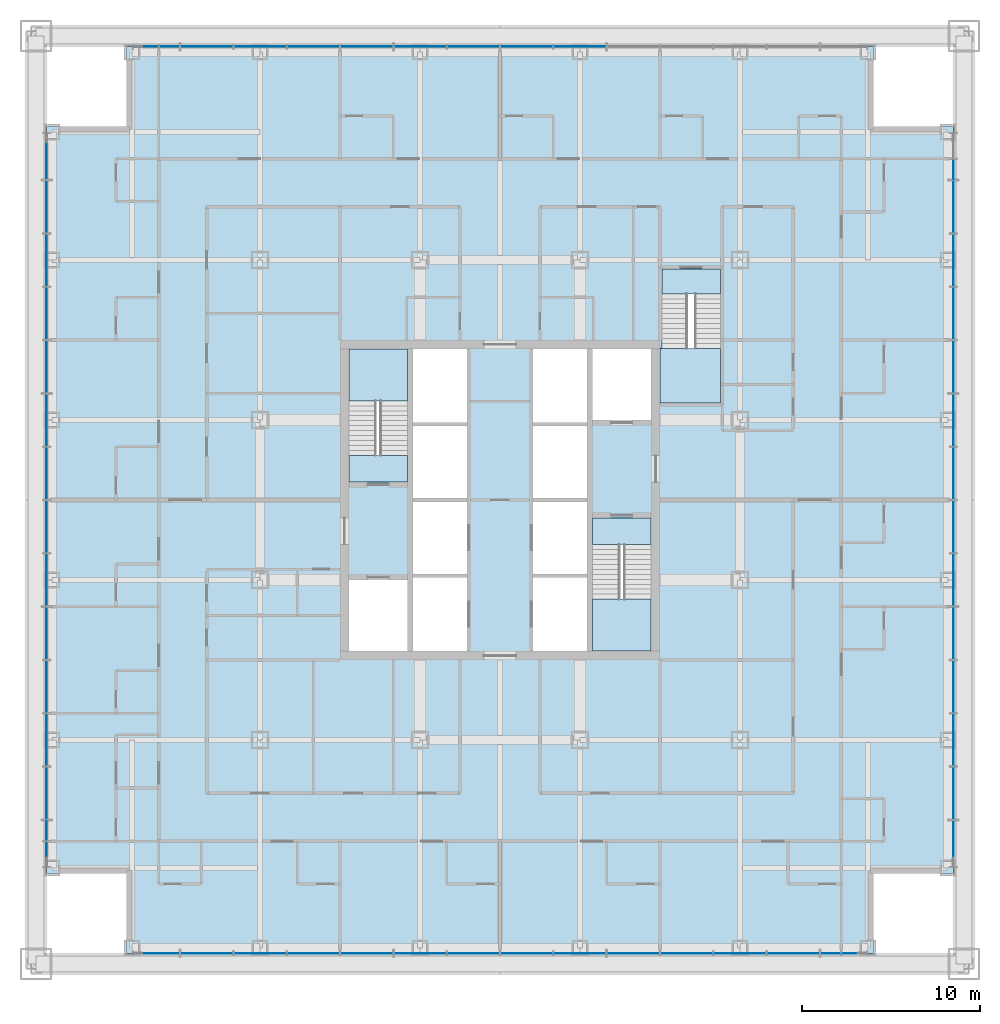
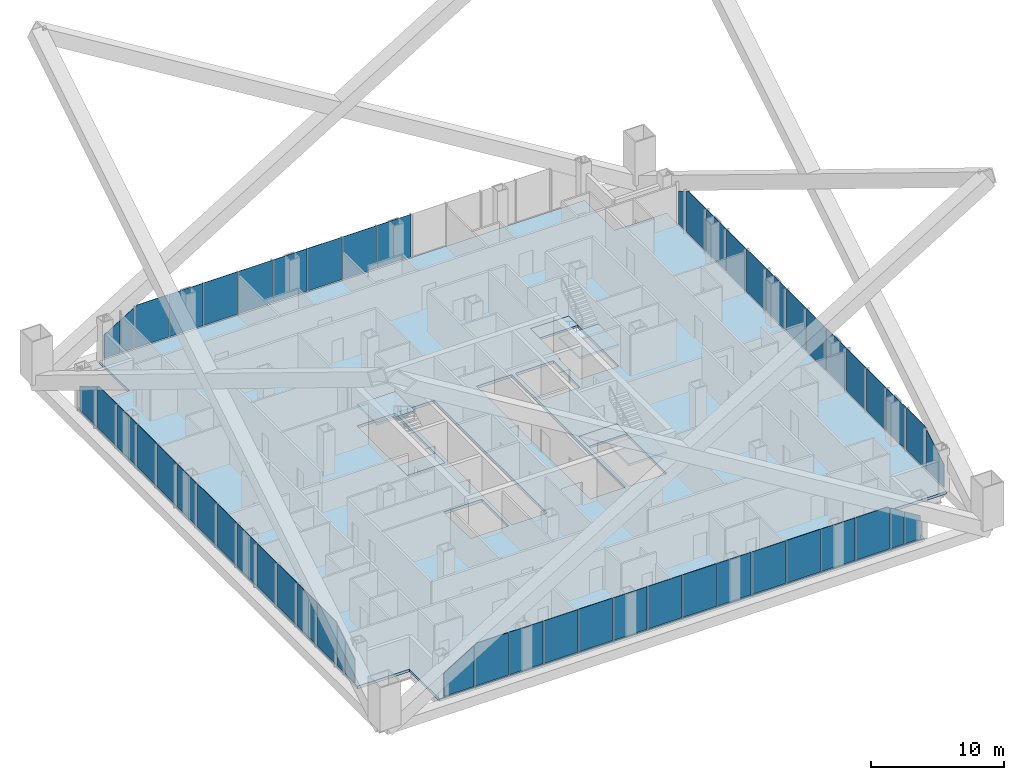
# One storey, part 11 of 21: 54 plates, 7 slabs, 7 elements without a shape of their own.
"""IFC4 building model written with IfcOpenShell, lengths in metres."""

from ifc_helpers import new_model, si_unit, direction, frame, origin, origin_2d, place, context, subcontext, project, spatial, polyline, rectangle, outline, extrude, material, layer, layer_set, type_object, element, aggregate, save


model = new_model("IFC4")

# Units and contexts
model_context = context("Model", 3, precision=1e-05, world=origin(), true_north=direction((0.0, 1.0)))
body_context = subcontext(model_context, "Body", "Model", "MODEL_VIEW")
ifc_project = project(units=[si_unit("LENGTHUNIT", "METRE"), si_unit("AREAUNIT", "SQUARE_METRE"), si_unit("VOLUMEUNIT", "CUBIC_METRE"), si_unit("PLANEANGLEUNIT", "RADIAN"), si_unit("MASSUNIT", "GRAM", prefix="KILO")], contexts=[model_context])

# Site, building, storey
site_placement = place(None, origin())
site = spatial("IfcSite", under=ifc_project, at=site_placement, CompositionType="ELEMENT")
building_placement = place(site_placement, origin())
building = spatial("IfcBuilding", under=site, at=building_placement, Name="Malebo Sky Hospital", CompositionType="ELEMENT")
storey_placement = place(building_placement, frame((0.0, 0.0, 63.0)))
storey = spatial("IfcBuildingStorey", under=building, at=storey_placement, Name="L14", CompositionType="ELEMENT", Elevation=63.0)

# Slab
ifc_material_1 = material(Name="Concrete C40/50", Category="concrete")
ifc_layer_1 = layer(ifc_material_1, 0.25)
ifc_layer_set_1 = layer_set([ifc_layer_1], Name="COMPOSITE FLOOR SLAB 250")
slab_type_1 = type_object("IfcSlabType", Name="COMPOSITE FLOOR SLAB 250", PredefinedType="FLOOR", material=ifc_layer_set_1)
slab_1_placement = place(storey_placement, frame((0.0, 0.0, -0.25)))
element("IfcSlab", 1, at=slab_1_placement, inside=storey, type_object=slab_type_1, Name="Floor slab L14", PredefinedType="FLOOR", context=body_context, shape_type="SweptSolid", body=[
    extrude(outline(polyline([(39.0, 87.5), (39.0, 83.0), (34.5, 83.0), (34.5, 41.0), (39.0, 41.0), (39.0, 36.5), (81.0, 36.5), (81.0, 41.0), (85.5, 41.0), (85.5, 83.0), (81.0, 83.0), (81.0, 87.5), (39.0, 87.5)]), holes=[polyline([(55.10009765625, 70.5), (58.14990234375, 70.5), (58.14990234375, 53.5), (55.10009765625, 53.5), (55.10009765625, 70.5)]), polyline([(64.89990234375, 70.5), (64.89990234375, 53.5), (61.85009765625, 53.5), (61.85009765625, 70.5), (64.89990234375, 70.5)]), polyline([(54.800048828125, 63.0), (51.5, 63.0), (51.5, 70.5), (54.800048828125, 70.5), (54.800048828125, 63.0)]), polyline([(51.5, 53.5), (51.5, 57.5), (54.800048828125, 57.5), (54.800048828125, 53.5), (51.5, 53.5)]), polyline([(65.199951171875, 61.0), (68.5, 61.0), (68.5, 53.5), (65.199951171875, 53.5), (65.199951171875, 61.0)]), polyline([(68.5, 70.5), (68.5, 66.5), (65.199951171875, 66.5), (65.199951171875, 70.5), (68.5, 70.5)]), polyline([(69.0, 67.449951171875), (69.0, 70.52001953125), (69.10009765625, 70.52001953125), (69.10009765625, 75.0), (72.39990234375, 75.0), (72.39990234375, 67.449951171875), (69.10009765625, 67.449951171875), (69.0, 67.449951171875)])]), origin(), (0.0, 0.0, 1.0), 0.25),
])

# Stair, slabs
stair_type_1 = type_object("IfcStairType", Name="HALF-TURN STAIR 1500 R167", PredefinedType="HALF_TURN_STAIR", material=ifc_material_1)
stair_1_placement = place(storey_placement, origin())
stair_1 = element("IfcStair", 2, at=stair_1_placement, inside=storey, type_object=stair_type_1, Name="Stair S1 L14 type ST1", PredefinedType="HALF_TURN_STAIR")
ifc_layer_2 = layer(ifc_material_1, 0.199951171875)
ifc_layer_set_2 = layer_set([ifc_layer_2], Name="STAIR LANDING 200")
slab_type_2 = type_object("IfcSlabType", Name="STAIR LANDING 200", PredefinedType="LANDING", material=ifc_layer_set_2)
slab_2_placement = place(storey_placement, frame((0.0, 0.0, -0.199951171875)))
slab_2 = element("IfcSlab", 3, at=slab_2_placement, type_object=slab_type_2, Name="S1 landing 1", PredefinedType="LANDING", context=body_context, shape_type="SweptSolid", body=[
    extrude(outline(polyline([(51.5, 63.0), (54.800048828125, 63.0), (54.800048828125, 64.5), (51.5, 64.5), (51.5, 63.0)])), origin(), (0.0, 0.0, 1.0), 0.199951171875),
])
slab_3_placement = place(storey_placement, frame((0.0, 0.0, 1.800048828125)))
slab_3 = element("IfcSlab", 4, at=slab_3_placement, type_object=slab_type_2, Name="S1 landing 2", PredefinedType="LANDING", context=body_context, shape_type="SweptSolid", body=[
    extrude(outline(polyline([(51.5, 67.580078125), (54.800048828125, 67.580078125), (54.800048828125, 70.5), (51.5, 70.5), (51.5, 67.580078125)])), origin(), (0.0, 0.0, 1.0), 0.199951171875),
])
aggregate(stair_1, [slab_2, slab_3])

stair_2_placement = place(storey_placement, origin())
stair_2 = element("IfcStair", 5, at=stair_2_placement, inside=storey, type_object=stair_type_1, Name="Stair S2 L14 type ST1", PredefinedType="HALF_TURN_STAIR")
slab_4_placement = place(storey_placement, frame((0.0, 0.0, -0.199951171875)))
slab_4 = element("IfcSlab", 6, at=slab_4_placement, type_object=slab_type_2, Name="S2 landing 1", PredefinedType="LANDING", context=body_context, shape_type="SweptSolid", body=[
    extrude(outline(polyline([(65.199951171875, 59.5), (68.5, 59.5), (68.5, 61.0), (65.199951171875, 61.0), (65.199951171875, 59.5)])), origin(), (0.0, 0.0, 1.0), 0.199951171875),
])
slab_5_placement = place(storey_placement, frame((0.0, 0.0, 1.800048828125)))
slab_5 = element("IfcSlab", 7, at=slab_5_placement, type_object=slab_type_2, Name="S2 landing 2", PredefinedType="LANDING", context=body_context, shape_type="SweptSolid", body=[
    extrude(outline(polyline([(65.199951171875, 53.5), (68.5, 53.5), (68.5, 56.419921875), (65.199951171875, 56.419921875), (65.199951171875, 53.5)])), origin(), (0.0, 0.0, 1.0), 0.199951171875),
])
aggregate(stair_2, [slab_4, slab_5])

stair_type_2 = type_object("IfcStairType", Name="HALF-TURN STAIR 1400 R167", PredefinedType="HALF_TURN_STAIR", material=ifc_material_1)
stair_3_placement = place(storey_placement, origin())
stair_3 = element("IfcStair", 8, at=stair_3_placement, inside=storey, type_object=stair_type_2, Name="Stair S3 L14 type ST1B", PredefinedType="HALF_TURN_STAIR")
slab_6_placement = place(storey_placement, frame((0.0, 0.0, -0.199951171875)))
slab_6 = element("IfcSlab", 9, at=slab_6_placement, type_object=slab_type_2, Name="S3 landing 1", PredefinedType="LANDING", context=body_context, shape_type="SweptSolid", body=[
    extrude(outline(polyline([(69.10009765625, 73.60009765625), (72.39990234375, 73.60009765625), (72.39990234375, 75.0), (69.10009765625, 75.0), (69.10009765625, 73.60009765625)])), origin(), (0.0, 0.0, 1.0), 0.199951171875),
])
slab_7_placement = place(storey_placement, frame((0.0, 0.0, 1.800048828125)))
slab_7 = element("IfcSlab", 10, at=slab_7_placement, type_object=slab_type_2, Name="S3 landing 2", PredefinedType="LANDING", context=body_context, shape_type="SweptSolid", body=[
    extrude(outline(polyline([(69.0, 67.449951171875), (72.39990234375, 67.449951171875), (72.39990234375, 70.52001953125), (69.0, 70.52001953125), (69.0, 67.449951171875)])), origin(), (0.0, 0.0, 1.0), 0.199951171875),
])
aggregate(stair_3, [slab_6, slab_7])

# Curtain wall, plates
ifc_material_2 = material(Name="Anodised aluminium, natural silver", Category="aluminium")
ifc_layer_3 = layer(ifc_material_2, 0.25)
ifc_layer_set_3 = layer_set([ifc_layer_3], Name="WARD CURTAIN WALL NORTH AND SOUTH")
curtain_wall_type_1 = type_object("IfcCurtainWallType", Name="WARD CURTAIN WALL NORTH AND SOUTH", PredefinedType="NOTDEFINED", material=ifc_layer_set_3)
curtain_wall_1_placement = place(storey_placement, origin())
curtain_wall_1 = element("IfcCurtainWall", 11, at=curtain_wall_1_placement, inside=storey, type_object=curtain_wall_type_1, Name="NS curtain wall N", PredefinedType="NOTDEFINED")
ifc_material_3 = material(Name="Clear low-iron double glazing", Category="glass")
ifc_layer_4 = layer(ifc_material_3, 0.031982421875)
ifc_layer_set_4 = layer_set([ifc_layer_4], Name="VISION PANEL CLEAR 32")
plate_type = type_object("IfcPlateType", Name="VISION PANEL CLEAR 32", PredefinedType="CURTAIN_PANEL", material=ifc_layer_set_4)
plate_1_placement = place(storey_placement, frame((40.06884765625, 87.5, 0.10009765625), z_axis=(0.0, 0.0, 1.0), x_axis=(1.0, 0.0, 0.0)))
plate_1 = element("IfcPlate", 12, at=plate_1_placement, type_object=plate_type, Name="Panel 1", PredefinedType="CURTAIN_PANEL", context=body_context, shape_type="SweptSolid", body=[
    extrude(outline(polyline([(-0.693603515625, 0.0), (0.693603515625, 0.0), (0.693603515625, 2.973388671875), (-0.693603515625, 2.122802734375), (-0.693603515625, 0.0)])), frame((0.0, 0.01611328125, 0.0), z_axis=(0.0, -1.0, 0.0), x_axis=(1.0, 0.0, 0.0)), (0.0, 0.0, 1.0), 0.031982421875),
])
plate_2_placement = place(storey_placement, frame((41.39990234375, 87.5, 0.10009765625), z_axis=(0.0, 0.0, 1.0), x_axis=(1.0, 0.0, 0.0)))
plate_2 = element("IfcPlate", 13, at=plate_2_placement, type_object=plate_type, Name="Panel 2", PredefinedType="CURTAIN_PANEL", context=body_context, shape_type="SweptSolid", body=[
    extrude(outline(polyline([(-0.5625, 0.0), (0.5625, 0.0), (0.5625, 3.708984375), (-0.5625, 3.019287109375), (-0.5625, 0.0)])), frame((0.0, 0.01611328125, 0.0), z_axis=(0.0, -1.0, 0.0), x_axis=(1.0, 0.0, 0.0)), (0.0, 0.0, 1.0), 0.031982421875),
])
plate_3_placement = place(storey_placement, frame((43.5, 87.5, 0.10009765625), z_axis=(0.0, 0.0, 1.0), x_axis=(1.0, 0.0, 0.0)))
plate_3 = element("IfcPlate", 14, at=plate_3_placement, type_object=plate_type, Name="Panel 3", PredefinedType="CURTAIN_PANEL", context=body_context, shape_type="SweptSolid", body=[
    extrude(outline(polyline([(-1.46240234375, 0.0), (1.46240234375, 0.0), (1.46240234375, 3.889892578125), (-1.2421875, 3.889892578125), (-1.46240234375, 3.7548828125), (-1.46240234375, 0.0)])), frame((0.0, 0.01611328125, 0.0), z_axis=(0.0, -1.0, 0.0), x_axis=(1.0, 0.0, 0.0)), (0.0, 0.0, 1.0), 0.031982421875),
])
plate_4_placement = place(storey_placement, frame((46.5, 87.5, 0.10009765625), z_axis=(0.0, 0.0, 1.0), x_axis=(1.0, 0.0, 0.0)))
plate_4 = element("IfcPlate", 15, at=plate_4_placement, type_object=plate_type, Name="Panel 4", PredefinedType="CURTAIN_PANEL", context=body_context, shape_type="SweptSolid", body=[
    extrude(rectangle(XDim=2.925048828125, YDim=0.031982421875, at=origin_2d()), origin(), (0.0, 0.0, 1.0), 3.889892578125),
])
plate_5_placement = place(storey_placement, frame((49.5, 87.5, 0.10009765625), z_axis=(0.0, 0.0, 1.0), x_axis=(1.0, 0.0, 0.0)))
plate_5 = element("IfcPlate", 16, at=plate_5_placement, type_object=plate_type, Name="Panel 5", PredefinedType="CURTAIN_PANEL", context=body_context, shape_type="SweptSolid", body=[
    extrude(rectangle(XDim=2.925048828125, YDim=0.031982421875, at=origin_2d()), origin(), (0.0, 0.0, 1.0), 3.889892578125),
])
plate_6_placement = place(storey_placement, frame((52.5, 87.5, 0.10009765625), z_axis=(0.0, 0.0, 1.0), x_axis=(1.0, 0.0, 0.0)))
plate_6 = element("IfcPlate", 17, at=plate_6_placement, type_object=plate_type, Name="Panel 6", PredefinedType="CURTAIN_PANEL", context=body_context, shape_type="SweptSolid", body=[
    extrude(rectangle(XDim=2.925048828125, YDim=0.031982421875, at=origin_2d()), origin(), (0.0, 0.0, 1.0), 3.889892578125),
])
plate_7_placement = place(storey_placement, frame((55.5, 87.5, 0.10009765625), z_axis=(0.0, 0.0, 1.0), x_axis=(1.0, 0.0, 0.0)))
plate_7 = element("IfcPlate", 18, at=plate_7_placement, type_object=plate_type, Name="Panel 7", PredefinedType="CURTAIN_PANEL", context=body_context, shape_type="SweptSolid", body=[
    extrude(rectangle(XDim=2.925048828125, YDim=0.031982421875, at=origin_2d()), origin(), (0.0, 0.0, 1.0), 3.889892578125),
])
plate_8_placement = place(storey_placement, frame((58.5, 87.5, 0.10009765625), z_axis=(0.0, 0.0, 1.0), x_axis=(1.0, 0.0, 0.0)))
plate_8 = element("IfcPlate", 19, at=plate_8_placement, type_object=plate_type, Name="Panel 8", PredefinedType="CURTAIN_PANEL", context=body_context, shape_type="SweptSolid", body=[
    extrude(rectangle(XDim=2.925048828125, YDim=0.031982421875, at=origin_2d()), origin(), (0.0, 0.0, 1.0), 3.889892578125),
])
plate_9_placement = place(storey_placement, frame((61.5, 87.5, 0.10009765625), z_axis=(0.0, 0.0, 1.0), x_axis=(1.0, 0.0, 0.0)))
plate_9 = element("IfcPlate", 20, at=plate_9_placement, type_object=plate_type, Name="Panel 9", PredefinedType="CURTAIN_PANEL", context=body_context, shape_type="SweptSolid", body=[
    extrude(rectangle(XDim=2.925048828125, YDim=0.031982421875, at=origin_2d()), origin(), (0.0, 0.0, 1.0), 3.889892578125),
])
plate_10_placement = place(storey_placement, frame((64.5, 87.5, 0.10009765625), z_axis=(0.0, 0.0, 1.0), x_axis=(1.0, 0.0, 0.0)))
plate_10 = element("IfcPlate", 21, at=plate_10_placement, type_object=plate_type, Name="Panel 10", PredefinedType="CURTAIN_PANEL", context=body_context, shape_type="SweptSolid", body=[
    extrude(rectangle(XDim=2.925048828125, YDim=0.031982421875, at=origin_2d()), origin(), (0.0, 0.0, 1.0), 3.889892578125),
])
aggregate(curtain_wall_1, [plate_1, plate_2, plate_3, plate_4, plate_5, plate_6, plate_7, plate_8, plate_9, plate_10])

ifc_layer_5 = layer(ifc_material_2, 0.25)
ifc_layer_set_5 = layer_set([ifc_layer_5], Name="WARD CURTAIN WALL EAST AND WEST")
curtain_wall_type_2 = type_object("IfcCurtainWallType", Name="WARD CURTAIN WALL EAST AND WEST", PredefinedType="NOTDEFINED", material=ifc_layer_set_5)
curtain_wall_2_placement = place(storey_placement, origin())
curtain_wall_2 = element("IfcCurtainWall", 22, at=curtain_wall_2_placement, inside=storey, type_object=curtain_wall_type_2, Name="EW curtain wall W", PredefinedType="NOTDEFINED")
plate_11_placement = place(storey_placement, frame((34.5, 42.06884765625, 0.10009765625), z_axis=(0.0, 0.0, 1.0), x_axis=(0.0, 1.0, 0.0)))
plate_11 = element("IfcPlate", 23, at=plate_11_placement, type_object=plate_type, Name="Panel 1", PredefinedType="CURTAIN_PANEL", context=body_context, shape_type="SweptSolid", body=[
    extrude(outline(polyline([(-0.693603515625, 0.0), (0.693603515625, 0.0), (0.693603515625, 2.973388671875), (-0.693603515625, 2.122802734375), (-0.693603515625, 0.0)])), frame((0.0, 0.01611328125, 0.0), z_axis=(0.0, -1.0, 0.0), x_axis=(1.0, 0.0, 0.0)), (0.0, 0.0, 1.0), 0.031982421875),
])
plate_12_placement = place(storey_placement, frame((34.5, 43.39990234375, 0.10009765625), z_axis=(0.0, 0.0, 1.0), x_axis=(0.0, 1.0, 0.0)))
plate_12 = element("IfcPlate", 24, at=plate_12_placement, type_object=plate_type, Name="Panel 2", PredefinedType="CURTAIN_PANEL", context=body_context, shape_type="SweptSolid", body=[
    extrude(outline(polyline([(-0.5625, 0.0), (0.5625, 0.0), (0.5625, 3.708984375), (-0.5625, 3.019287109375), (-0.5625, 0.0)])), frame((0.0, 0.01611328125, 0.0), z_axis=(0.0, -1.0, 0.0), x_axis=(1.0, 0.0, 0.0)), (0.0, 0.0, 1.0), 0.031982421875),
])
plate_13_placement = place(storey_placement, frame((34.5, 45.5, 0.10009765625), z_axis=(0.0, 0.0, 1.0), x_axis=(0.0, 1.0, 0.0)))
plate_13 = element("IfcPlate", 25, at=plate_13_placement, type_object=plate_type, Name="Panel 3", PredefinedType="CURTAIN_PANEL", context=body_context, shape_type="SweptSolid", body=[
    extrude(outline(polyline([(-1.46240234375, 0.0), (1.46240234375, 0.0), (1.46240234375, 3.889892578125), (-1.2421875, 3.889892578125), (-1.46240234375, 3.7548828125), (-1.46240234375, 0.0)])), frame((0.0, 0.01611328125, 0.0), z_axis=(0.0, -1.0, 0.0), x_axis=(1.0, 0.0, 0.0)), (0.0, 0.0, 1.0), 0.031982421875),
])
plate_14_placement = place(storey_placement, frame((34.5, 48.5, 0.10009765625), z_axis=(0.0, 0.0, 1.0), x_axis=(0.0, 1.0, 0.0)))
plate_14 = element("IfcPlate", 26, at=plate_14_placement, type_object=plate_type, Name="Panel 4", PredefinedType="CURTAIN_PANEL", context=body_context, shape_type="SweptSolid", body=[
    extrude(rectangle(XDim=2.925048828125, YDim=0.031982421875, at=origin_2d()), origin(), (0.0, 0.0, 1.0), 3.889892578125),
])
plate_15_placement = place(storey_placement, frame((34.5, 51.5, 0.10009765625), z_axis=(0.0, 0.0, 1.0), x_axis=(0.0, 1.0, 0.0)))
plate_15 = element("IfcPlate", 27, at=plate_15_placement, type_object=plate_type, Name="Panel 5", PredefinedType="CURTAIN_PANEL", context=body_context, shape_type="SweptSolid", body=[
    extrude(rectangle(XDim=2.925048828125, YDim=0.031982421875, at=origin_2d()), origin(), (0.0, 0.0, 1.0), 3.889892578125),
])
plate_16_placement = place(storey_placement, frame((34.5, 54.5, 0.10009765625), z_axis=(0.0, 0.0, 1.0), x_axis=(0.0, 1.0, 0.0)))
plate_16 = element("IfcPlate", 28, at=plate_16_placement, type_object=plate_type, Name="Panel 6", PredefinedType="CURTAIN_PANEL", context=body_context, shape_type="SweptSolid", body=[
    extrude(rectangle(XDim=2.925048828125, YDim=0.031982421875, at=origin_2d()), origin(), (0.0, 0.0, 1.0), 3.889892578125),
])
plate_17_placement = place(storey_placement, frame((34.5, 57.5, 0.10009765625), z_axis=(0.0, 0.0, 1.0), x_axis=(0.0, 1.0, 0.0)))
plate_17 = element("IfcPlate", 29, at=plate_17_placement, type_object=plate_type, Name="Panel 7", PredefinedType="CURTAIN_PANEL", context=body_context, shape_type="SweptSolid", body=[
    extrude(rectangle(XDim=2.925048828125, YDim=0.031982421875, at=origin_2d()), origin(), (0.0, 0.0, 1.0), 3.889892578125),
])
plate_18_placement = place(storey_placement, frame((34.5, 60.5, 0.10009765625), z_axis=(0.0, 0.0, 1.0), x_axis=(0.0, 1.0, 0.0)))
plate_18 = element("IfcPlate", 30, at=plate_18_placement, type_object=plate_type, Name="Panel 8", PredefinedType="CURTAIN_PANEL", context=body_context, shape_type="SweptSolid", body=[
    extrude(rectangle(XDim=2.925048828125, YDim=0.031982421875, at=origin_2d()), origin(), (0.0, 0.0, 1.0), 3.889892578125),
])
plate_19_placement = place(storey_placement, frame((34.5, 63.5, 0.10009765625), z_axis=(0.0, 0.0, 1.0), x_axis=(0.0, 1.0, 0.0)))
plate_19 = element("IfcPlate", 31, at=plate_19_placement, type_object=plate_type, Name="Panel 9", PredefinedType="CURTAIN_PANEL", context=body_context, shape_type="SweptSolid", body=[
    extrude(rectangle(XDim=2.925048828125, YDim=0.031982421875, at=origin_2d()), origin(), (0.0, 0.0, 1.0), 3.889892578125),
])
plate_20_placement = place(storey_placement, frame((34.5, 66.5, 0.10009765625), z_axis=(0.0, 0.0, 1.0), x_axis=(0.0, 1.0, 0.0)))
plate_20 = element("IfcPlate", 32, at=plate_20_placement, type_object=plate_type, Name="Panel 10", PredefinedType="CURTAIN_PANEL", context=body_context, shape_type="SweptSolid", body=[
    extrude(rectangle(XDim=2.925048828125, YDim=0.031982421875, at=origin_2d()), origin(), (0.0, 0.0, 1.0), 3.889892578125),
])
plate_21_placement = place(storey_placement, frame((34.5, 69.5, 0.10009765625), z_axis=(0.0, 0.0, 1.0), x_axis=(0.0, 1.0, 0.0)))
plate_21 = element("IfcPlate", 33, at=plate_21_placement, type_object=plate_type, Name="Panel 11", PredefinedType="CURTAIN_PANEL", context=body_context, shape_type="SweptSolid", body=[
    extrude(rectangle(XDim=2.925048828125, YDim=0.031982421875, at=origin_2d()), origin(), (0.0, 0.0, 1.0), 3.889892578125),
])
plate_22_placement = place(storey_placement, frame((34.5, 72.5, 0.10009765625), z_axis=(0.0, 0.0, 1.0), x_axis=(0.0, 1.0, 0.0)))
plate_22 = element("IfcPlate", 34, at=plate_22_placement, type_object=plate_type, Name="Panel 12", PredefinedType="CURTAIN_PANEL", context=body_context, shape_type="SweptSolid", body=[
    extrude(rectangle(XDim=2.925048828125, YDim=0.031982421875, at=origin_2d()), origin(), (0.0, 0.0, 1.0), 3.889892578125),
])
plate_23_placement = place(storey_placement, frame((34.5, 75.5, 0.10009765625), z_axis=(0.0, 0.0, 1.0), x_axis=(0.0, 1.0, 0.0)))
plate_23 = element("IfcPlate", 35, at=plate_23_placement, type_object=plate_type, Name="Panel 13", PredefinedType="CURTAIN_PANEL", context=body_context, shape_type="SweptSolid", body=[
    extrude(rectangle(XDim=2.925048828125, YDim=0.031982421875, at=origin_2d()), origin(), (0.0, 0.0, 1.0), 3.889892578125),
])
plate_24_placement = place(storey_placement, frame((34.5, 78.5, 0.10009765625), z_axis=(0.0, 0.0, 1.0), x_axis=(0.0, 1.0, 0.0)))
plate_24 = element("IfcPlate", 36, at=plate_24_placement, type_object=plate_type, Name="Panel 14", PredefinedType="CURTAIN_PANEL", context=body_context, shape_type="SweptSolid", body=[
    extrude(outline(polyline([(-1.46240234375, 0.0), (1.46240234375, 0.0), (1.46240234375, 3.7548828125), (1.2421875, 3.889892578125), (-1.46240234375, 3.889892578125), (-1.46240234375, 0.0)])), frame((0.0, 0.01611328125, 0.0), z_axis=(0.0, -1.0, 0.0), x_axis=(1.0, 0.0, 0.0)), (0.0, 0.0, 1.0), 0.031982421875),
])
plate_25_placement = place(storey_placement, frame((34.5, 81.331298828125, 0.10009765625), z_axis=(0.0, 0.0, 1.0), x_axis=(0.0, 1.0, 0.0)))
plate_25 = element("IfcPlate", 37, at=plate_25_placement, type_object=plate_type, Name="Panel 15", PredefinedType="CURTAIN_PANEL", context=body_context, shape_type="SweptSolid", body=[
    extrude(outline(polyline([(-1.293701171875, 0.0), (1.293701171875, 0.0), (1.293701171875, 2.122802734375), (-1.293701171875, 3.708984375), (-1.293701171875, 0.0)])), frame((0.0, 0.01611328125, 0.0), z_axis=(0.0, -1.0, 0.0), x_axis=(1.0, 0.0, 0.0)), (0.0, 0.0, 1.0), 0.031982421875),
])
aggregate(curtain_wall_2, [plate_11, plate_12, plate_13, plate_14, plate_15, plate_16, plate_17, plate_18, plate_19, plate_20, plate_21, plate_22, plate_23, plate_24, plate_25])

curtain_wall_3_placement = place(storey_placement, origin())
curtain_wall_3 = element("IfcCurtainWall", 38, at=curtain_wall_3_placement, inside=storey, type_object=curtain_wall_type_1, Name="NS curtain wall S", PredefinedType="NOTDEFINED")
plate_26_placement = place(storey_placement, frame((79.93115234375, 36.5, 0.10009765625), z_axis=(0.0, 0.0, 1.0), x_axis=(-1.0, 0.0, 0.0)))
plate_26 = element("IfcPlate", 39, at=plate_26_placement, type_object=plate_type, Name="Panel 1", PredefinedType="CURTAIN_PANEL", context=body_context, shape_type="SweptSolid", body=[
    extrude(outline(polyline([(-0.693603515625, 0.0), (0.693603515625, 0.0), (0.693603515625, 2.973388671875), (-0.693603515625, 2.122802734375), (-0.693603515625, 0.0)])), frame((0.0, 0.01611328125, 0.0), z_axis=(0.0, -1.0, 0.0), x_axis=(1.0, 0.0, 0.0)), (0.0, 0.0, 1.0), 0.031982421875),
])
plate_27_placement = place(storey_placement, frame((78.60009765625, 36.5, 0.10009765625), z_axis=(0.0, 0.0, 1.0), x_axis=(-1.0, 0.0, 0.0)))
plate_27 = element("IfcPlate", 40, at=plate_27_placement, type_object=plate_type, Name="Panel 2", PredefinedType="CURTAIN_PANEL", context=body_context, shape_type="SweptSolid", body=[
    extrude(outline(polyline([(-0.5625, 0.0), (0.5625, 0.0), (0.5625, 3.708984375), (-0.5625, 3.019287109375), (-0.5625, 0.0)])), frame((0.0, 0.01611328125, 0.0), z_axis=(0.0, -1.0, 0.0), x_axis=(1.0, 0.0, 0.0)), (0.0, 0.0, 1.0), 0.031982421875),
])
plate_28_placement = place(storey_placement, frame((76.5, 36.5, 0.10009765625), z_axis=(0.0, 0.0, 1.0), x_axis=(-1.0, 0.0, 0.0)))
plate_28 = element("IfcPlate", 41, at=plate_28_placement, type_object=plate_type, Name="Panel 3", PredefinedType="CURTAIN_PANEL", context=body_context, shape_type="SweptSolid", body=[
    extrude(outline(polyline([(-1.46240234375, 0.0), (1.46240234375, 0.0), (1.46240234375, 3.889892578125), (-1.2421875, 3.889892578125), (-1.46240234375, 3.7548828125), (-1.46240234375, 0.0)])), frame((0.0, 0.01611328125, 0.0), z_axis=(0.0, -1.0, 0.0), x_axis=(1.0, 0.0, 0.0)), (0.0, 0.0, 1.0), 0.031982421875),
])
plate_29_placement = place(storey_placement, frame((73.5, 36.5, 0.10009765625), z_axis=(0.0, 0.0, 1.0), x_axis=(-1.0, 0.0, 0.0)))
plate_29 = element("IfcPlate", 42, at=plate_29_placement, type_object=plate_type, Name="Panel 4", PredefinedType="CURTAIN_PANEL", context=body_context, shape_type="SweptSolid", body=[
    extrude(rectangle(XDim=2.925048828125, YDim=0.031982421875, at=origin_2d()), origin(), (0.0, 0.0, 1.0), 3.889892578125),
])
plate_30_placement = place(storey_placement, frame((70.5, 36.5, 0.10009765625), z_axis=(0.0, 0.0, 1.0), x_axis=(-1.0, 0.0, 0.0)))
plate_30 = element("IfcPlate", 43, at=plate_30_placement, type_object=plate_type, Name="Panel 5", PredefinedType="CURTAIN_PANEL", context=body_context, shape_type="SweptSolid", body=[
    extrude(rectangle(XDim=2.925048828125, YDim=0.031982421875, at=origin_2d()), origin(), (0.0, 0.0, 1.0), 3.889892578125),
])
plate_31_placement = place(storey_placement, frame((67.5, 36.5, 0.10009765625), z_axis=(0.0, 0.0, 1.0), x_axis=(-1.0, 0.0, 0.0)))
plate_31 = element("IfcPlate", 44, at=plate_31_placement, type_object=plate_type, Name="Panel 6", PredefinedType="CURTAIN_PANEL", context=body_context, shape_type="SweptSolid", body=[
    extrude(rectangle(XDim=2.925048828125, YDim=0.031982421875, at=origin_2d()), origin(), (0.0, 0.0, 1.0), 3.889892578125),
])
plate_32_placement = place(storey_placement, frame((64.5, 36.5, 0.10009765625), z_axis=(0.0, 0.0, 1.0), x_axis=(-1.0, 0.0, 0.0)))
plate_32 = element("IfcPlate", 45, at=plate_32_placement, type_object=plate_type, Name="Panel 7", PredefinedType="CURTAIN_PANEL", context=body_context, shape_type="SweptSolid", body=[
    extrude(rectangle(XDim=2.925048828125, YDim=0.031982421875, at=origin_2d()), origin(), (0.0, 0.0, 1.0), 3.889892578125),
])
plate_33_placement = place(storey_placement, frame((61.5, 36.5, 0.10009765625), z_axis=(0.0, 0.0, 1.0), x_axis=(-1.0, 0.0, 0.0)))
plate_33 = element("IfcPlate", 46, at=plate_33_placement, type_object=plate_type, Name="Panel 8", PredefinedType="CURTAIN_PANEL", context=body_context, shape_type="SweptSolid", body=[
    extrude(rectangle(XDim=2.925048828125, YDim=0.031982421875, at=origin_2d()), origin(), (0.0, 0.0, 1.0), 3.889892578125),
])
plate_34_placement = place(storey_placement, frame((58.5, 36.5, 0.10009765625), z_axis=(0.0, 0.0, 1.0), x_axis=(-1.0, 0.0, 0.0)))
plate_34 = element("IfcPlate", 47, at=plate_34_placement, type_object=plate_type, Name="Panel 9", PredefinedType="CURTAIN_PANEL", context=body_context, shape_type="SweptSolid", body=[
    extrude(rectangle(XDim=2.925048828125, YDim=0.031982421875, at=origin_2d()), origin(), (0.0, 0.0, 1.0), 3.889892578125),
])
plate_35_placement = place(storey_placement, frame((55.5, 36.5, 0.10009765625), z_axis=(0.0, 0.0, 1.0), x_axis=(-1.0, 0.0, 0.0)))
plate_35 = element("IfcPlate", 48, at=plate_35_placement, type_object=plate_type, Name="Panel 10", PredefinedType="CURTAIN_PANEL", context=body_context, shape_type="SweptSolid", body=[
    extrude(rectangle(XDim=2.925048828125, YDim=0.031982421875, at=origin_2d()), origin(), (0.0, 0.0, 1.0), 3.889892578125),
])
plate_36_placement = place(storey_placement, frame((52.5, 36.5, 0.10009765625), z_axis=(0.0, 0.0, 1.0), x_axis=(-1.0, 0.0, 0.0)))
plate_36 = element("IfcPlate", 49, at=plate_36_placement, type_object=plate_type, Name="Panel 11", PredefinedType="CURTAIN_PANEL", context=body_context, shape_type="SweptSolid", body=[
    extrude(rectangle(XDim=2.925048828125, YDim=0.031982421875, at=origin_2d()), origin(), (0.0, 0.0, 1.0), 3.889892578125),
])
plate_37_placement = place(storey_placement, frame((49.5, 36.5, 0.10009765625), z_axis=(0.0, 0.0, 1.0), x_axis=(-1.0, 0.0, 0.0)))
plate_37 = element("IfcPlate", 50, at=plate_37_placement, type_object=plate_type, Name="Panel 12", PredefinedType="CURTAIN_PANEL", context=body_context, shape_type="SweptSolid", body=[
    extrude(rectangle(XDim=2.925048828125, YDim=0.031982421875, at=origin_2d()), origin(), (0.0, 0.0, 1.0), 3.889892578125),
])
plate_38_placement = place(storey_placement, frame((46.5, 36.5, 0.10009765625), z_axis=(0.0, 0.0, 1.0), x_axis=(-1.0, 0.0, 0.0)))
plate_38 = element("IfcPlate", 51, at=plate_38_placement, type_object=plate_type, Name="Panel 13", PredefinedType="CURTAIN_PANEL", context=body_context, shape_type="SweptSolid", body=[
    extrude(rectangle(XDim=2.925048828125, YDim=0.031982421875, at=origin_2d()), origin(), (0.0, 0.0, 1.0), 3.889892578125),
])
plate_39_placement = place(storey_placement, frame((43.5, 36.5, 0.10009765625), z_axis=(0.0, 0.0, 1.0), x_axis=(-1.0, 0.0, 0.0)))
plate_39 = element("IfcPlate", 52, at=plate_39_placement, type_object=plate_type, Name="Panel 14", PredefinedType="CURTAIN_PANEL", context=body_context, shape_type="SweptSolid", body=[
    extrude(outline(polyline([(-1.46240234375, 0.0), (1.46240234375, 0.0), (1.46240234375, 3.7548828125), (1.2421875, 3.889892578125), (-1.46240234375, 3.889892578125), (-1.46240234375, 0.0)])), frame((0.0, 0.01611328125, 0.0), z_axis=(0.0, -1.0, 0.0), x_axis=(1.0, 0.0, 0.0)), (0.0, 0.0, 1.0), 0.031982421875),
])
plate_40_placement = place(storey_placement, frame((40.668701171875, 36.5, 0.10009765625), z_axis=(0.0, 0.0, 1.0), x_axis=(-1.0, 0.0, 0.0)))
plate_40 = element("IfcPlate", 53, at=plate_40_placement, type_object=plate_type, Name="Panel 15", PredefinedType="CURTAIN_PANEL", context=body_context, shape_type="SweptSolid", body=[
    extrude(outline(polyline([(-1.293701171875, 0.0), (1.293701171875, 0.0), (1.293701171875, 2.122802734375), (-1.293701171875, 3.708984375), (-1.293701171875, 0.0)])), frame((0.0, 0.01611328125, 0.0), z_axis=(0.0, -1.0, 0.0), x_axis=(1.0, 0.0, 0.0)), (0.0, 0.0, 1.0), 0.031982421875),
])
aggregate(curtain_wall_3, [plate_26, plate_27, plate_28, plate_29, plate_30, plate_31, plate_32, plate_33, plate_34, plate_35, plate_36, plate_37, plate_38, plate_39, plate_40])

curtain_wall_4_placement = place(storey_placement, origin())
curtain_wall_4 = element("IfcCurtainWall", 54, at=curtain_wall_4_placement, inside=storey, type_object=curtain_wall_type_2, Name="EW curtain wall E", PredefinedType="NOTDEFINED")
plate_41_placement = place(storey_placement, frame((85.5, 80.60009765625, 0.10009765625), z_axis=(0.0, 0.0, 1.0), x_axis=(0.0, -1.0, 0.0)))
plate_41 = element("IfcPlate", 55, at=plate_41_placement, type_object=plate_type, Name="Panel 2", PredefinedType="CURTAIN_PANEL", context=body_context, shape_type="SweptSolid", body=[
    extrude(outline(polyline([(-0.5625, 0.0), (0.5625, 0.0), (0.5625, 3.708984375), (-0.5625, 3.019287109375), (-0.5625, 0.0)])), frame((0.0, 0.01611328125, 0.0), z_axis=(0.0, -1.0, 0.0), x_axis=(1.0, 0.0, 0.0)), (0.0, 0.0, 1.0), 0.031982421875),
])
plate_42_placement = place(storey_placement, frame((85.5, 78.5, 0.10009765625), z_axis=(0.0, 0.0, 1.0), x_axis=(0.0, -1.0, 0.0)))
plate_42 = element("IfcPlate", 56, at=plate_42_placement, type_object=plate_type, Name="Panel 3", PredefinedType="CURTAIN_PANEL", context=body_context, shape_type="SweptSolid", body=[
    extrude(outline(polyline([(-1.46240234375, 0.0), (1.46240234375, 0.0), (1.46240234375, 3.889892578125), (-1.2421875, 3.889892578125), (-1.46240234375, 3.7548828125), (-1.46240234375, 0.0)])), frame((0.0, 0.01611328125, 0.0), z_axis=(0.0, -1.0, 0.0), x_axis=(1.0, 0.0, 0.0)), (0.0, 0.0, 1.0), 0.031982421875),
])
plate_43_placement = place(storey_placement, frame((85.5, 75.5, 0.10009765625), z_axis=(0.0, 0.0, 1.0), x_axis=(0.0, -1.0, 0.0)))
plate_43 = element("IfcPlate", 57, at=plate_43_placement, type_object=plate_type, Name="Panel 4", PredefinedType="CURTAIN_PANEL", context=body_context, shape_type="SweptSolid", body=[
    extrude(rectangle(XDim=2.925048828125, YDim=0.031982421875, at=origin_2d()), origin(), (0.0, 0.0, 1.0), 3.889892578125),
])
plate_44_placement = place(storey_placement, frame((85.5, 72.5, 0.10009765625), z_axis=(0.0, 0.0, 1.0), x_axis=(0.0, -1.0, 0.0)))
plate_44 = element("IfcPlate", 58, at=plate_44_placement, type_object=plate_type, Name="Panel 5", PredefinedType="CURTAIN_PANEL", context=body_context, shape_type="SweptSolid", body=[
    extrude(rectangle(XDim=2.925048828125, YDim=0.031982421875, at=origin_2d()), origin(), (0.0, 0.0, 1.0), 3.889892578125),
])
plate_45_placement = place(storey_placement, frame((85.5, 69.5, 0.10009765625), z_axis=(0.0, 0.0, 1.0), x_axis=(0.0, -1.0, 0.0)))
plate_45 = element("IfcPlate", 59, at=plate_45_placement, type_object=plate_type, Name="Panel 6", PredefinedType="CURTAIN_PANEL", context=body_context, shape_type="SweptSolid", body=[
    extrude(rectangle(XDim=2.925048828125, YDim=0.031982421875, at=origin_2d()), origin(), (0.0, 0.0, 1.0), 3.889892578125),
])
plate_46_placement = place(storey_placement, frame((85.5, 66.5, 0.10009765625), z_axis=(0.0, 0.0, 1.0), x_axis=(0.0, -1.0, 0.0)))
plate_46 = element("IfcPlate", 60, at=plate_46_placement, type_object=plate_type, Name="Panel 7", PredefinedType="CURTAIN_PANEL", context=body_context, shape_type="SweptSolid", body=[
    extrude(rectangle(XDim=2.925048828125, YDim=0.031982421875, at=origin_2d()), origin(), (0.0, 0.0, 1.0), 3.889892578125),
])
plate_47_placement = place(storey_placement, frame((85.5, 63.5, 0.10009765625), z_axis=(0.0, 0.0, 1.0), x_axis=(0.0, -1.0, 0.0)))
plate_47 = element("IfcPlate", 61, at=plate_47_placement, type_object=plate_type, Name="Panel 8", PredefinedType="CURTAIN_PANEL", context=body_context, shape_type="SweptSolid", body=[
    extrude(rectangle(XDim=2.925048828125, YDim=0.031982421875, at=origin_2d()), origin(), (0.0, 0.0, 1.0), 3.889892578125),
])
plate_48_placement = place(storey_placement, frame((85.5, 60.5, 0.10009765625), z_axis=(0.0, 0.0, 1.0), x_axis=(0.0, -1.0, 0.0)))
plate_48 = element("IfcPlate", 62, at=plate_48_placement, type_object=plate_type, Name="Panel 9", PredefinedType="CURTAIN_PANEL", context=body_context, shape_type="SweptSolid", body=[
    extrude(rectangle(XDim=2.925048828125, YDim=0.031982421875, at=origin_2d()), origin(), (0.0, 0.0, 1.0), 3.889892578125),
])
plate_49_placement = place(storey_placement, frame((85.5, 57.5, 0.10009765625), z_axis=(0.0, 0.0, 1.0), x_axis=(0.0, -1.0, 0.0)))
plate_49 = element("IfcPlate", 63, at=plate_49_placement, type_object=plate_type, Name="Panel 10", PredefinedType="CURTAIN_PANEL", context=body_context, shape_type="SweptSolid", body=[
    extrude(rectangle(XDim=2.925048828125, YDim=0.031982421875, at=origin_2d()), origin(), (0.0, 0.0, 1.0), 3.889892578125),
])
plate_50_placement = place(storey_placement, frame((85.5, 54.5, 0.10009765625), z_axis=(0.0, 0.0, 1.0), x_axis=(0.0, -1.0, 0.0)))
plate_50 = element("IfcPlate", 64, at=plate_50_placement, type_object=plate_type, Name="Panel 11", PredefinedType="CURTAIN_PANEL", context=body_context, shape_type="SweptSolid", body=[
    extrude(rectangle(XDim=2.925048828125, YDim=0.031982421875, at=origin_2d()), origin(), (0.0, 0.0, 1.0), 3.889892578125),
])
plate_51_placement = place(storey_placement, frame((85.5, 51.5, 0.10009765625), z_axis=(0.0, 0.0, 1.0), x_axis=(0.0, -1.0, 0.0)))
plate_51 = element("IfcPlate", 65, at=plate_51_placement, type_object=plate_type, Name="Panel 12", PredefinedType="CURTAIN_PANEL", context=body_context, shape_type="SweptSolid", body=[
    extrude(rectangle(XDim=2.925048828125, YDim=0.031982421875, at=origin_2d()), origin(), (0.0, 0.0, 1.0), 3.889892578125),
])
plate_52_placement = place(storey_placement, frame((85.5, 48.5, 0.10009765625), z_axis=(0.0, 0.0, 1.0), x_axis=(0.0, -1.0, 0.0)))
plate_52 = element("IfcPlate", 66, at=plate_52_placement, type_object=plate_type, Name="Panel 13", PredefinedType="CURTAIN_PANEL", context=body_context, shape_type="SweptSolid", body=[
    extrude(rectangle(XDim=2.925048828125, YDim=0.031982421875, at=origin_2d()), origin(), (0.0, 0.0, 1.0), 3.889892578125),
])
plate_53_placement = place(storey_placement, frame((85.5, 45.5, 0.10009765625), z_axis=(0.0, 0.0, 1.0), x_axis=(0.0, -1.0, 0.0)))
plate_53 = element("IfcPlate", 67, at=plate_53_placement, type_object=plate_type, Name="Panel 14", PredefinedType="CURTAIN_PANEL", context=body_context, shape_type="SweptSolid", body=[
    extrude(outline(polyline([(-1.46240234375, 0.0), (1.46240234375, 0.0), (1.46240234375, 3.7548828125), (1.2421875, 3.889892578125), (-1.46240234375, 3.889892578125), (-1.46240234375, 0.0)])), frame((0.0, 0.01611328125, 0.0), z_axis=(0.0, -1.0, 0.0), x_axis=(1.0, 0.0, 0.0)), (0.0, 0.0, 1.0), 0.031982421875),
])
plate_54_placement = place(storey_placement, frame((85.5, 42.668701171875, 0.10009765625), z_axis=(0.0, 0.0, 1.0), x_axis=(0.0, -1.0, 0.0)))
plate_54 = element("IfcPlate", 68, at=plate_54_placement, type_object=plate_type, Name="Panel 15", PredefinedType="CURTAIN_PANEL", context=body_context, shape_type="SweptSolid", body=[
    extrude(outline(polyline([(-1.293701171875, 0.0), (1.293701171875, 0.0), (1.293701171875, 2.122802734375), (-1.293701171875, 3.708984375), (-1.293701171875, 0.0)])), frame((0.0, 0.01611328125, 0.0), z_axis=(0.0, -1.0, 0.0), x_axis=(1.0, 0.0, 0.0)), (0.0, 0.0, 1.0), 0.031982421875),
])
aggregate(curtain_wall_4, [plate_41, plate_42, plate_43, plate_44, plate_45, plate_46, plate_47, plate_48, plate_49, plate_50, plate_51, plate_52, plate_53, plate_54])

save(model, "model.ifc")
